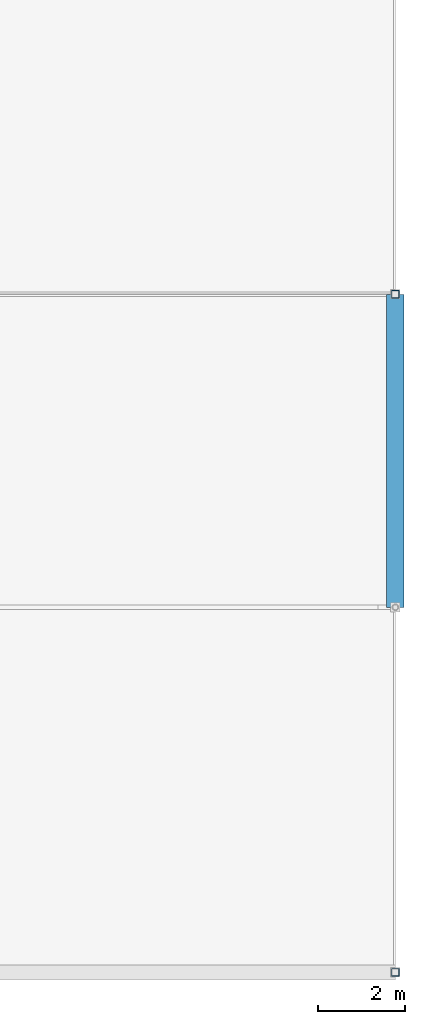
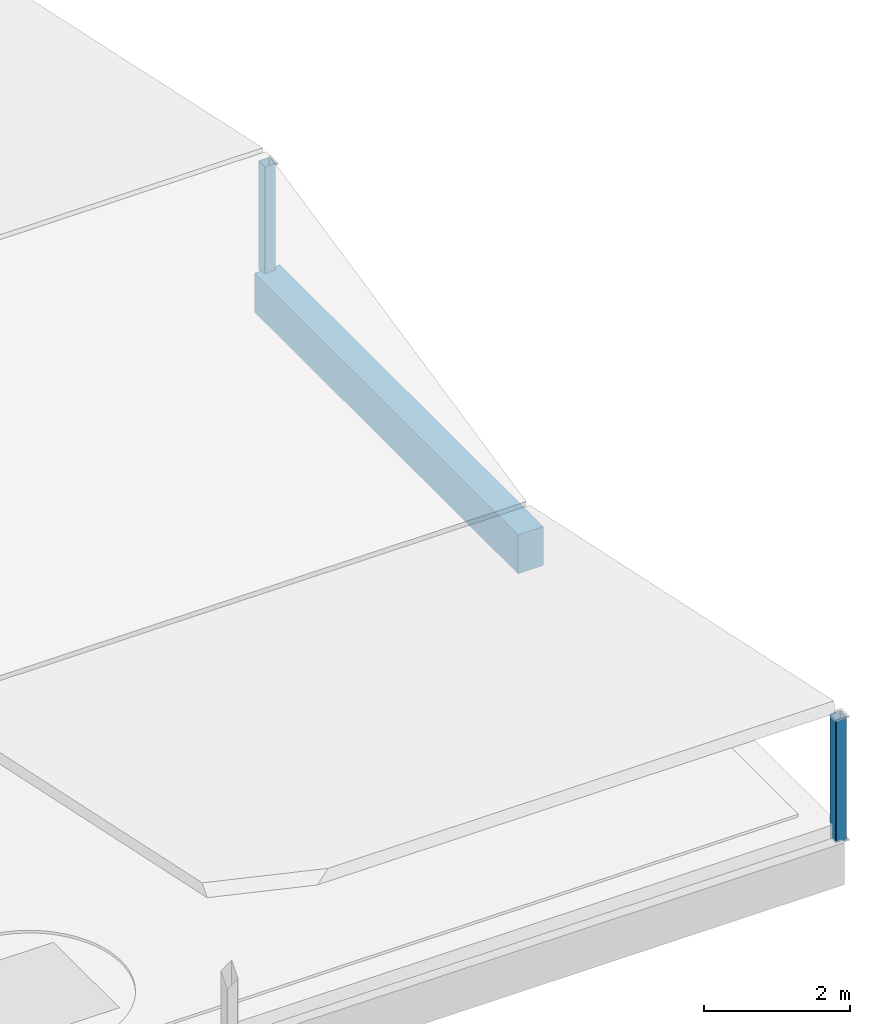
# One storey, part 5 of 11: 2 members, 1 beam.
"""IFC4 building model written with IfcOpenShell, lengths in metres."""

import ifcopenshell
import ifcopenshell.guid

model = None  # the IFC model being written
_history = None  # IfcOwnerHistory: only IFC2X3 demands one
_inside = {}  # id of a spatial element -> (the spatial element, [elements in it])
_under = {}  # id of a project, library or spatial element -> (it, [spatial elements below it])
_declared = {}  # id of a project -> (the project, [libraries it declares])
_typed = {}  # id of a type object -> (the type object, [elements of that type])
_made_of = {}  # id of a material, layer set ... -> (it, [elements and type objects made of it])


def new_model(schema):
    """Start an empty IFC model of exactly this schema.

    Asked for "IFC4X3", IfcOpenShell would pick the latest addendum, in which some entities
    have other attributes; the version numbers below select the first issue.
    IFC2X3 requires an IfcOwnerHistory on every rooted entity: one is made here for all.
    """
    global model, _history
    if schema == "IFC4X3":
        model = ifcopenshell.file(schema_version=(4, 3, 0, 0))
    else:
        model = ifcopenshell.file(schema=schema)
    _inside.clear()
    _under.clear()
    _declared.clear()
    _typed.clear()
    _made_of.clear()
    _history = None
    if model.schema == "IFC2X3":
        org = make("IfcOrganization", Name="unknown")
        user = make(
            "IfcPersonAndOrganization",
            ThePerson=make("IfcPerson", FamilyName="unknown"),
            TheOrganization=org,
        )
        app = make(
            "IfcApplication",
            ApplicationDeveloper=org,
            Version="unknown",
            ApplicationFullName="unknown",
            ApplicationIdentifier="unknown",
        )
        _history = make(
            "IfcOwnerHistory",
            OwningUser=user,
            OwningApplication=app,
            ChangeAction="ADDED",
            CreationDate=0,
        )
    return model


def make(cls, **values):
    """One entity of the class cls with the attributes given. An attribute that is None is left unset."""
    return model.create_entity(
        cls, **{name: value for name, value in values.items() if value is not None}
    )


def rooted(cls, **values):
    """An entity with a GlobalId (a new one), such as an element, a storey or a relation."""
    return make(cls, GlobalId=ifcopenshell.guid.new(), OwnerHistory=_history, **values)


def si_unit(unit_type, name, prefix=None):
    """IfcSIUnit, for example si_unit("LENGTHUNIT", "METRE", prefix="MILLI")."""
    return make("IfcSIUnit", UnitType=unit_type, Prefix=prefix, Name=name)


def assignment(units):
    """IfcUnitAssignment: the units of a project."""
    return None if units is None else make("IfcUnitAssignment", Units=units)


def point(xyz):
    """IfcCartesianPoint."""
    return None if xyz is None else make("IfcCartesianPoint", Coordinates=xyz)


def direction(xyz):
    """IfcDirection."""
    return None if xyz is None else make("IfcDirection", DirectionRatios=xyz)


def frame(location, z_axis=None, x_axis=None):
    """IfcAxis2Placement3D, a coordinate frame: its origin and axes. An axis left out is left unset."""
    return make(
        "IfcAxis2Placement3D",
        Location=point(location),
        Axis=direction(z_axis),
        RefDirection=direction(x_axis),
    )


def frame_2d(location, x_axis=None):
    """IfcAxis2Placement2D, a coordinate frame in the plane: its origin and x axis."""
    return make(
        "IfcAxis2Placement2D", Location=point(location), RefDirection=direction(x_axis)
    )


def origin():
    """The frame at (0, 0, 0) with its axes left unset."""
    return frame((0.0, 0.0, 0.0))


def origin_2d():
    """The frame at (0, 0) in the plane with its x axis left unset."""
    return frame_2d((0.0, 0.0))


def place(relative_to, where):
    """IfcLocalPlacement: puts the frame where relative to a parent placement (None: the world)."""
    return make(
        "IfcLocalPlacement", PlacementRelTo=relative_to, RelativePlacement=where
    )


def context(
    kind, dimensions, precision=None, world=None, true_north=None, identifier=None
):
    """IfcGeometricRepresentationContext, for example the 3D "Model" context."""
    return make(
        "IfcGeometricRepresentationContext",
        ContextIdentifier=identifier,
        ContextType=kind,
        CoordinateSpaceDimension=dimensions,
        Precision=precision,
        WorldCoordinateSystem=world,
        TrueNorth=true_north,
    )


def subcontext(parent, identifier, kind, view, scale=None):
    """IfcGeometricRepresentationSubContext, for example "Body" below "Model"."""
    return make(
        "IfcGeometricRepresentationSubContext",
        ContextIdentifier=identifier,
        ContextType=kind,
        ParentContext=parent,
        TargetScale=scale,
        TargetView=view,
    )


def project(units=None, contexts=None):
    """IfcProject with its units and contexts."""
    return rooted(
        "IfcProject",
        Name="project",
        RepresentationContexts=contexts,
        UnitsInContext=assignment(units),
    )


def spatial(cls, under=None, at=None, **own):
    """A site, building, storey or space (cls), placed at a placement, below another one or the project."""
    s = rooted(cls, ObjectPlacement=at, **own)
    if under is not None:
        _under.setdefault(under.id(), (under, []))[1].append(s)
    return s


def profile(cls, at=None, kind="AREA", **sizes):
    """A parametric profile (cls). Its sizes go by their IFC names, for example OverallWidth=200.0."""
    return make(cls, ProfileType=kind, Position=at, **sizes)


def rectangle(**sizes):
    """IfcRectangleProfileDef."""
    return profile("IfcRectangleProfileDef", **sizes)


def hollow_rectangle(**sizes):
    """IfcRectangleHollowProfileDef."""
    return profile("IfcRectangleHollowProfileDef", **sizes)


def extrude(swept, where, along, depth):
    """IfcExtrudedAreaSolid: the profile swept, set in the frame where, extruded along a direction by depth."""
    return make(
        "IfcExtrudedAreaSolid",
        SweptArea=swept,
        Position=where,
        ExtrudedDirection=direction(along),
        Depth=depth,
    )


def shape(context_of_items, identifier, shape_type, items):
    """IfcShapeRepresentation: the items that make up one representation, for example the "Body"."""
    return make(
        "IfcShapeRepresentation",
        ContextOfItems=context_of_items,
        RepresentationIdentifier=identifier,
        RepresentationType=shape_type,
        Items=items,
    )


def material(Name=None, Category=None):
    """IfcMaterial."""
    return make("IfcMaterial", Name=Name, Category=Category)


def material_profile(
    of_material, cross_section, Name=None, Category=None, Priority=None
):
    """IfcMaterialProfile: a cross section and its material."""
    return make(
        "IfcMaterialProfile",
        Name=Name,
        Material=of_material,
        Profile=cross_section,
        Priority=Priority,
        Category=Category,
    )


def profile_set(profiles, Name=None, composite=None):
    """IfcMaterialProfileSet."""
    return make(
        "IfcMaterialProfileSet",
        Name=Name,
        MaterialProfiles=profiles,
        CompositeProfile=composite,
    )


def made_of(thing, what):
    """Note that an element or type object is made of a material, layer set ...; save() writes the relation."""
    if what is not None:
        _made_of.setdefault(what.id(), (what, []))[1].append(thing)
    return thing


def type_object(cls, material=None, **own):
    """A type object (cls), such as IfcWallType, which elements share."""
    return made_of(rooted(cls, **own), material)


def element(
    cls,
    number,
    at=None,
    inside=None,
    cuts=None,
    type_object=None,
    material=None,
    context=None,
    identifier="Body",
    shape_type=None,
    held_by="IfcProductDefinitionShape",
    body=None,
    shapes=None,
    **own,
):
    """One element of the class cls, such as IfcWall. Its Tag is "e" and its number.

    at: its placement. inside: the storey or other place that contains it. cuts: it is an
    opening in that element (IfcRelVoidsElement). A single representation is given by context,
    identifier, shape_type and body (its items); several are given by shapes. held_by: the class
    of the entity that holds the representations. save() writes the other relations.
    """
    e = rooted(cls, Tag="e%d" % number, ObjectPlacement=at, **own)
    if body is not None:
        shapes = [shape(context, identifier, shape_type, body)]
    if shapes is not None:
        e.Representation = make(held_by, Representations=shapes)
    if inside is not None:
        _inside.setdefault(inside.id(), (inside, []))[1].append(e)
    if cuts is not None:
        rooted(
            "IfcRelVoidsElement", RelatingBuildingElement=cuts, RelatedOpeningElement=e
        )
    if type_object is not None:
        _typed.setdefault(type_object.id(), (type_object, []))[1].append(e)
    return made_of(e, material)


def aggregate(whole, parts):
    """IfcRelAggregates: a whole, such as a stair, and the parts it consists of."""
    return rooted("IfcRelAggregates", RelatingObject=whole, RelatedObjects=parts)


def save(model, path):
    """Write the relations noted so far, then the file.

    IfcRelAggregates (storeys below a building ...), IfcRelContainedInSpatialStructure (elements
    in a storey), IfcRelDefinesByType, IfcRelAssociatesMaterial and IfcRelDeclares: one each for
    every whole, place, type object, material and project.
    """
    for whole, parts in _under.values():
        aggregate(whole, parts)
    for where, things in _inside.values():
        rooted(
            "IfcRelContainedInSpatialStructure",
            RelatedElements=things,
            RelatingStructure=where,
        )
    for kind, things in _typed.values():
        rooted("IfcRelDefinesByType", RelatedObjects=things, RelatingType=kind)
    for what, things in _made_of.values():
        rooted("IfcRelAssociatesMaterial", RelatedObjects=things, RelatingMaterial=what)
    for by, libraries in _declared.values():
        rooted("IfcRelDeclares", RelatingContext=by, RelatedDefinitions=libraries)
    model.write(path)


model = new_model("IFC4")

# Units and contexts
model_context = context("Model", 3, precision=1e-05, world=origin(), true_north=direction((0.0, 1.0)))
body_context = subcontext(model_context, "Body", "Model", "MODEL_VIEW")
ifc_project = project(units=[si_unit("LENGTHUNIT", "METRE"), si_unit("AREAUNIT", "SQUARE_METRE"), si_unit("VOLUMEUNIT", "CUBIC_METRE"), si_unit("PLANEANGLEUNIT", "RADIAN"), si_unit("MASSUNIT", "GRAM", prefix="KILO")], contexts=[model_context])

# Site, building, storey
site_placement = place(None, origin())
site = spatial("IfcSite", under=ifc_project, at=site_placement, CompositionType="ELEMENT")
building_placement = place(site_placement, origin())
building = spatial("IfcBuilding", under=site, at=building_placement, Name="Kisaragi Civic Commons", CompositionType="ELEMENT")
storey_placement = place(building_placement, frame((0.0, 0.0, 21.60009765625)))
storey = spatial("IfcBuildingStorey", under=building, at=storey_placement, Name="RF", CompositionType="ELEMENT", Elevation=21.60009765625)

# Beam
ifc_material_1 = material(Name="Concrete Fc30", Category="concrete")
ifc_material_profile_1 = material_profile(ifc_material_1, rectangle(XDim=0.39990234375, YDim=0.64990234375, at=origin_2d()), Name="RC-400x650", Category="concrete")
ifc_profile_set_1 = profile_set([ifc_material_profile_1], Name="Concrete Fc30")
beam_type = type_object("IfcBeamType", Name="G-05", PredefinedType="BEAM", material=ifc_profile_set_1)
beam_placement = place(storey_placement, frame((133.199951171875, 104.39990234375, -0.545166015625), z_axis=(0.0, 1.0, 0.0), x_axis=(-1.0, 0.0, 0.0)))
element("IfcBeam", 1, at=beam_placement, inside=storey, type_object=beam_type, Name="RF girder G-05 355", PredefinedType="BEAM", context=body_context, shape_type="SweptSolid", body=[
    extrude(rectangle(XDim=0.39990234375, YDim=0.64990234375, at=origin_2d()), origin(), (0.0, 0.0, 1.0), 7.2001953125),
])

# Members
ifc_material_2 = material(Name="Steel STKR400", Category="steel")
ifc_material_profile_2 = material_profile(ifc_material_2, hollow_rectangle(XDim=0.175048828125, YDim=0.175048828125, WallThickness=0.006103515625, InnerFilletRadius=0.006103515625, OuterFilletRadius=0.011962890625, at=origin_2d()), Name="STKR-175x175x6", Category="steel")
ifc_profile_set_2 = profile_set([ifc_material_profile_2], Name="Steel STKR400")
member_type = type_object("IfcMemberType", Name="ST-C2", PredefinedType="STRUT", material=ifc_profile_set_2)
member_1_placement = place(storey_placement, frame((133.199951171875, 96.0, -0.25), z_axis=(0.0, 0.0, 1.0), x_axis=(1.0, 0.0, 0.0)))
element("IfcMember", 2, at=member_1_placement, inside=storey, type_object=member_type, Name="RF solar canopy post (133.2,96.0)", PredefinedType="STRUT", context=body_context, shape_type="SweptSolid", body=[
    extrude(hollow_rectangle(XDim=0.175048828125, YDim=0.175048828125, WallThickness=0.006103515625, InnerFilletRadius=0.006103515625, OuterFilletRadius=0.011962890625, at=origin_2d()), origin(), (0.0, 0.0, 1.0), 2.0498046875),
])
member_2_placement = place(storey_placement, frame((133.199951171875, 111.60009765625, -0.25), z_axis=(0.0, 0.0, 1.0), x_axis=(1.0, 0.0, 0.0)))
element("IfcMember", 3, at=member_2_placement, inside=storey, type_object=member_type, Name="RF solar canopy post (133.2,111.6)", PredefinedType="STRUT", context=body_context, shape_type="SweptSolid", body=[
    extrude(hollow_rectangle(XDim=0.175048828125, YDim=0.175048828125, WallThickness=0.006103515625, InnerFilletRadius=0.006103515625, OuterFilletRadius=0.011962890625, at=origin_2d()), origin(), (0.0, 0.0, 1.0), 1.809814453125),
])

save(model, "model.ifc")
